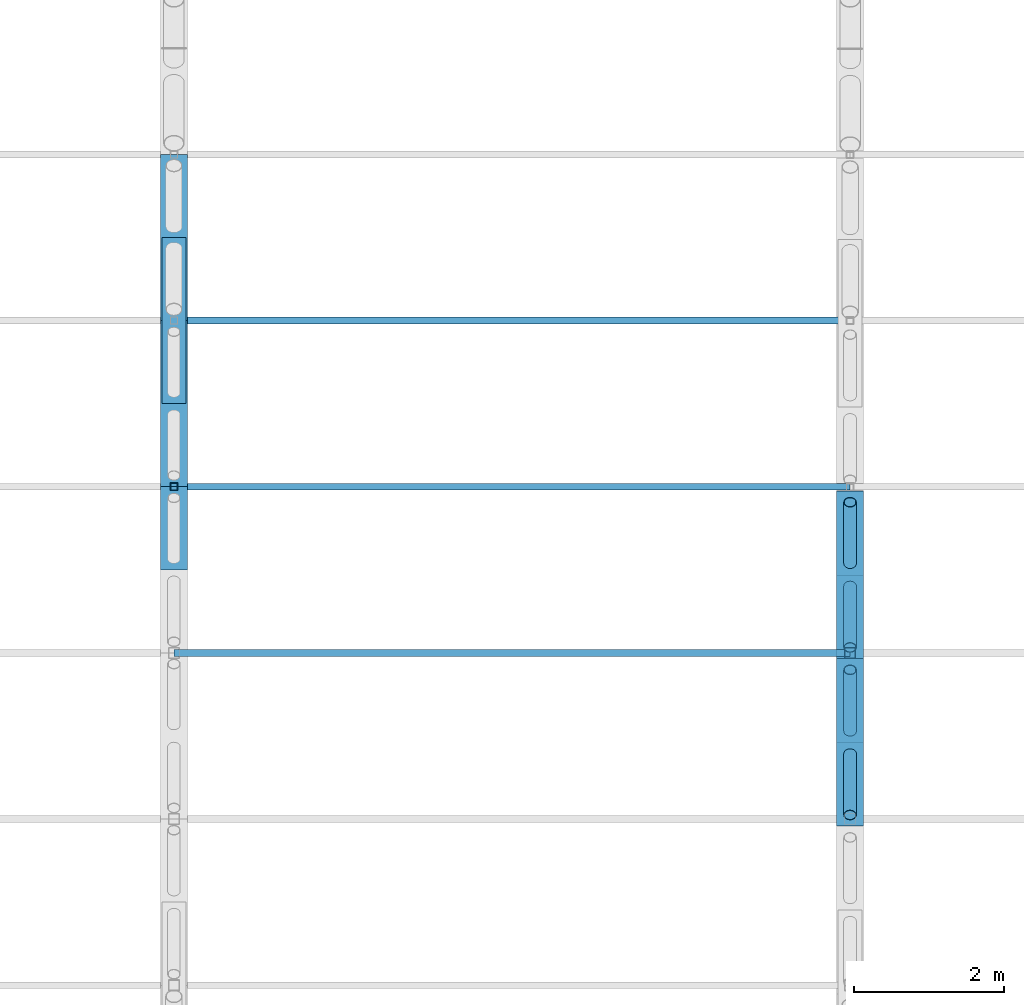
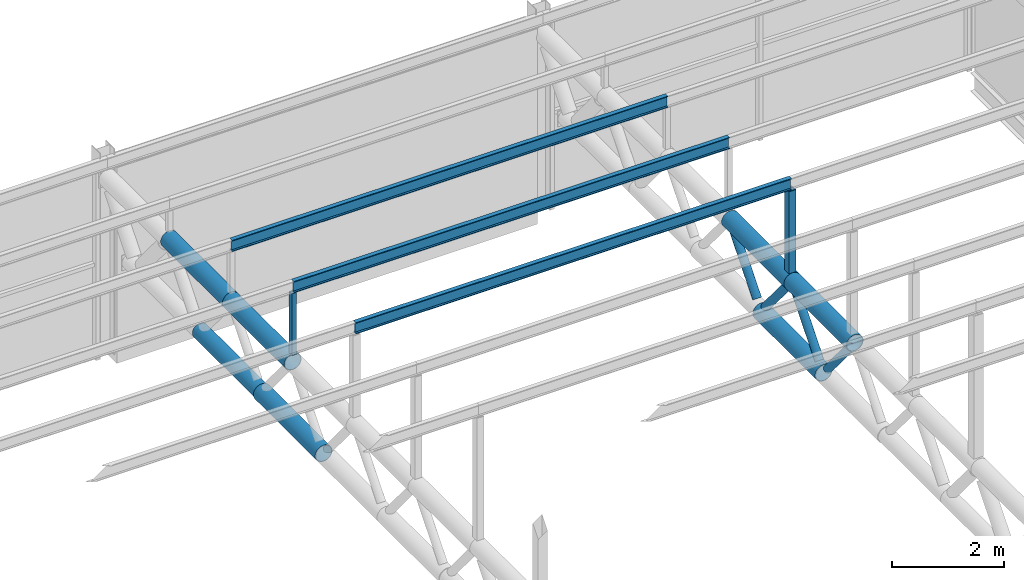
# One storey, part 77 of 138: 16 members.
"""IFC4 building model written with IfcOpenShell, lengths in metres."""

from ifc_helpers import new_model, si_unit, direction, frame, origin, origin_2d, place, context, subcontext, project, spatial, hollow_rectangle, hollow_circle, i_section, extrude, material, material_profile, profile_set, type_object, element, save


model = new_model("IFC4")

# Units and contexts
model_context = context("Model", 3, precision=1e-05, world=origin(), true_north=direction((0.0, 1.0)))
body_context = subcontext(model_context, "Body", "Model", "MODEL_VIEW")
ifc_project = project(units=[si_unit("LENGTHUNIT", "METRE"), si_unit("AREAUNIT", "SQUARE_METRE"), si_unit("VOLUMEUNIT", "CUBIC_METRE"), si_unit("PLANEANGLEUNIT", "RADIAN"), si_unit("MASSUNIT", "GRAM", prefix="KILO")], contexts=[model_context])

# Site, building, storey
site_placement = place(None, origin())
site = spatial("IfcSite", under=ifc_project, at=site_placement, CompositionType="ELEMENT")
building_placement = place(site_placement, origin())
building = spatial("IfcBuilding", under=site, at=building_placement, Name="Corbel Yard City Hall", CompositionType="ELEMENT")
storey_placement = place(building_placement, frame((0.0, 0.0, 10.5)))
storey = spatial("IfcBuildingStorey", under=building, at=storey_placement, Name="L02", CompositionType="ELEMENT", Elevation=10.5)

# Members
ifc_material_1 = material(Name="Steel Grade C350L0", Category="steel")
ifc_material_profile_1 = material_profile(ifc_material_1, hollow_circle(Radius=0.161865234375, WallThickness=0.0126953125, at=origin_2d()), Name="323.9x12.7CHS")
ifc_profile_set_1 = profile_set([ifc_material_profile_1], Name="Steel Grade C350L0")
member_type_1 = type_object("IfcMemberType", Name="Hall roof truss bottom chord 323.9x12.7CHS", PredefinedType="CHORD", material=ifc_profile_set_1)
member_1_placement = place(storey_placement, frame((144.0, 21.31787109375, 2.59228515625), z_axis=(0.0, 1.0, 0.0), x_axis=(-1.0, 0.0, 0.0)))
element("IfcMember", 1, at=member_1_placement, inside=storey, type_object=member_type_1, Name="Hall roof truss bottom chord 323.9x12.7CHS TC2", PredefinedType="CHORD", context=body_context, shape_type="SweptSolid", body=[
    extrude(hollow_circle(Radius=0.161865234375, WallThickness=0.0126953125, at=origin_2d()), origin(), (0.0, 0.0, 1.0), 2.2119140625),
])
ifc_material_profile_2 = material_profile(ifc_material_1, hollow_circle(Radius=0.177734375, WallThickness=0.0126953125, at=origin_2d()), Name="355.6x12.7CHS")
ifc_profile_set_2 = profile_set([ifc_material_profile_2], Name="Steel Grade C350L0")
member_type_2 = type_object("IfcMemberType", Name="Hall roof truss bottom chord 355.6x12.7CHS", PredefinedType="CHORD", material=ifc_profile_set_2)
member_2_placement = place(storey_placement, frame((144.0, 19.10595703125, 2.59228515625), z_axis=(0.0, 1.0, 0.0), x_axis=(-1.0, 0.0, 0.0)))
element("IfcMember", 2, at=member_2_placement, inside=storey, type_object=member_type_2, Name="Hall roof truss bottom chord 355.6x12.7CHS TC3", PredefinedType="CHORD", context=body_context, shape_type="SweptSolid", body=[
    extrude(hollow_circle(Radius=0.177734375, WallThickness=0.0126953125, at=origin_2d()), origin(), (0.0, 0.0, 1.0), 2.2119140625),
])
member_3_placement = place(storey_placement, frame((153.0, 16.808349609375, 2.59228515625), z_axis=(0.0, 1.0, 0.0), x_axis=(-1.0, 0.0, 0.0)))
element("IfcMember", 3, at=member_3_placement, inside=storey, type_object=member_type_2, Name="Hall roof truss bottom chord 355.6x12.7CHS TC3", PredefinedType="CHORD", context=body_context, shape_type="SweptSolid", body=[
    extrude(hollow_circle(Radius=0.177734375, WallThickness=0.0126953125, at=origin_2d()), origin(), (0.0, 0.0, 1.0), 2.23095703125),
])
ifc_material_profile_3 = material_profile(ifc_material_1, hollow_circle(Radius=0.084228515625, WallThickness=0.007080078125, at=origin_2d()), Name="168.3x7.1CHS")
ifc_profile_set_3 = profile_set([ifc_material_profile_3], Name="Steel Grade C350L0")
member_type_3 = type_object("IfcMemberType", Name="Hall roof truss diagonal 168.3x7.1CHS", PredefinedType="STRUT", material=ifc_profile_set_3)
for number, where, z_axis, x_axis, name in (
    (4, (153.0, 15.842041015625, 3.744384765625), (0.0, 0.64257954038, -0.766218985855), (-1.0, 0.0, 0.0), "Hall roof truss diagonal 168.3x7.1CHS TD3"),
    (5, (153.0, 16.95751953125, 2.77001953125), (0.0, 0.64257954038, 0.766218985855), (-1.0, 0.0, 0.0), "Hall roof truss diagonal 168.3x7.1CHS TD3"),
    (6, (153.0, 18.07275390625, 3.744384765625), (0.0, 0.642692233301, -0.766124463292), (-1.0, 0.0, 0.0), "Hall roof truss diagonal 168.3x7.1CHS TD3"),
    (7, (153.0, 19.188232421875, 2.77001953125), (0.0, 0.642692233301, 0.766124463292), (-1.0, 0.0, 0.0), "Hall roof truss diagonal 168.3x7.1CHS TD3"),
):
    element("IfcMember", number, at=place(storey_placement, frame(where, z_axis=z_axis, x_axis=x_axis)), inside=storey, type_object=member_type_3, Name=name, PredefinedType="STRUT", context=body_context, shape_type="SweptSolid", body=[
        extrude(hollow_circle(Radius=0.084228515625, WallThickness=0.007080078125, at=origin_2d()), origin(), (0.0, 0.0, 1.0), 1.271728515625),
    ])
ifc_material_profile_4 = material_profile(ifc_material_1, hollow_circle(Radius=0.177734375, WallThickness=0.0126953125, at=origin_2d()), Name="355.6x12.7CHS")
ifc_profile_set_4 = profile_set([ifc_material_profile_4], Name="Steel Grade C350L0")
member_type_4 = type_object("IfcMemberType", Name="Hall roof truss top chord 355.6x12.7CHS", PredefinedType="CHORD", material=ifc_profile_set_4)
for number, where, z_axis, x_axis, name in (
    (8, (144.0, 20.2119140625, 3.922119140625), (0.0, 1.0, 0.0), (-1.0, 0.0, 0.0), "Hall roof truss top chord 355.6x12.7CHS TC1"),
    (9, (144.0, 22.423828125, 3.922119140625), (0.0, 1.0, 0.0), (-1.0, 0.0, 0.0), "Hall roof truss top chord 355.6x12.7CHS TC1"),
):
    element("IfcMember", number, at=place(storey_placement, frame(where, z_axis=z_axis, x_axis=x_axis)), inside=storey, type_object=member_type_4, Name=name, PredefinedType="CHORD", context=body_context, shape_type="SweptSolid", body=[
        extrude(hollow_circle(Radius=0.177734375, WallThickness=0.0126953125, at=origin_2d()), origin(), (0.0, 0.0, 1.0), 2.2119140625),
    ])
for number, where, z_axis, x_axis, name in (
    (10, (153.0, 15.69287109375, 3.922119140625), (0.0, 1.0, 0.0), (-1.0, 0.0, 0.0), "Hall roof truss top chord 355.6x12.7CHS TC1"),
    (11, (153.0, 17.923828125, 3.922119140625), (0.0, 1.0, 0.0), (-1.0, 0.0, 0.0), "Hall roof truss top chord 355.6x12.7CHS TC1"),
):
    element("IfcMember", number, at=place(storey_placement, frame(where, z_axis=z_axis, x_axis=x_axis)), inside=storey, type_object=member_type_4, Name=name, PredefinedType="CHORD", context=body_context, shape_type="SweptSolid", body=[
        extrude(hollow_circle(Radius=0.177734375, WallThickness=0.0126953125, at=origin_2d()), origin(), (0.0, 0.0, 1.0), 2.23095703125),
    ])
ifc_material_2 = material(Name="Steel Grade 300 (300 MPa yield)", Category="steel")
ifc_material_profile_5 = material_profile(ifc_material_2, i_section(OverallWidth=0.090087890625, OverallDepth=0.25, WebThickness=0.008056640625, FlangeThickness=0.014892578125, at=origin_2d()), Name="250PFC")
ifc_profile_set_5 = profile_set([ifc_material_profile_5], Name="Steel Grade 300 (300 MPa yield)")
member_type_5 = type_object("IfcMemberType", Name="Purlin 250PFC", PredefinedType="PURLIN", material=ifc_profile_set_5)
for number, where, z_axis, x_axis, name in (
    (12, (144.0, 18.0, 6.01611328125), (1.0, 0.0, 0.0), (0.0, 1.0, 0.0), "Purlin 250PFC PU1"),
    (13, (144.0, 20.2119140625, 5.57373046875), (1.0, 0.0, 0.0), (0.0, 1.0, 0.0), "Purlin 250PFC PU1"),
    (14, (144.0, 22.423828125, 5.13134765625), (1.0, 0.0, 0.0), (0.0, 1.0, 0.0), "Purlin 250PFC PU1"),
):
    element("IfcMember", number, at=place(storey_placement, frame(where, z_axis=z_axis, x_axis=x_axis)), inside=storey, type_object=member_type_5, Name=name, PredefinedType="PURLIN", context=body_context, shape_type="SweptSolid", body=[
        extrude(i_section(OverallWidth=0.090087890625, OverallDepth=0.25, WebThickness=0.008056640625, FlangeThickness=0.014892578125, at=origin_2d()), origin(), (0.0, 0.0, 1.0), 9.0),
    ])
ifc_material_3 = material(Name="Steel Grade C450L0", Category="steel")
ifc_material_profile_6 = material_profile(ifc_material_3, hollow_rectangle(XDim=0.10009765625, YDim=0.10009765625, WallThickness=0.006103515625, at=origin_2d()), Name="100x100x6.0SHS")
ifc_profile_set_6 = profile_set([ifc_material_profile_6], Name="Steel Grade C450L0")
member_type_6 = type_object("IfcMemberType", Name="Roof post 100x100x6.0SHS", PredefinedType="POST", material=ifc_profile_set_6)
member_4_placement = place(storey_placement, frame((144.0, 20.2119140625, 4.10009765625), z_axis=(0.0, 0.0, 1.0), x_axis=(1.0, 0.0, 0.0)))
element("IfcMember", 15, at=member_4_placement, inside=storey, type_object=member_type_6, Name="Roof post 100x100x6.0SHS RP3", PredefinedType="POST", context=body_context, shape_type="SweptSolid", body=[
    extrude(hollow_rectangle(XDim=0.10009765625, YDim=0.10009765625, WallThickness=0.006103515625, at=origin_2d()), origin(), (0.0, 0.0, 1.0), 1.3486328125),
])
ifc_material_profile_7 = material_profile(ifc_material_3, hollow_rectangle(XDim=0.14990234375, YDim=0.14990234375, WallThickness=0.009033203125, at=origin_2d()), Name="150x150x9.0SHS")
ifc_profile_set_7 = profile_set([ifc_material_profile_7], Name="Steel Grade C450L0")
member_type_7 = type_object("IfcMemberType", Name="Roof post 150x150x9.0SHS", PredefinedType="POST", material=ifc_profile_set_7)
member_5_placement = place(storey_placement, frame((153.0, 18.0, 4.10009765625), z_axis=(0.0, 0.0, 1.0), x_axis=(1.0, 0.0, 0.0)))
element("IfcMember", 16, at=member_5_placement, inside=storey, type_object=member_type_7, Name="Roof post 150x150x9.0SHS RP2", PredefinedType="POST", context=body_context, shape_type="SweptSolid", body=[
    extrude(hollow_rectangle(XDim=0.14990234375, YDim=0.14990234375, WallThickness=0.009033203125, at=origin_2d()), origin(), (0.0, 0.0, 1.0), 1.791015625),
])

save(model, "model.ifc")
